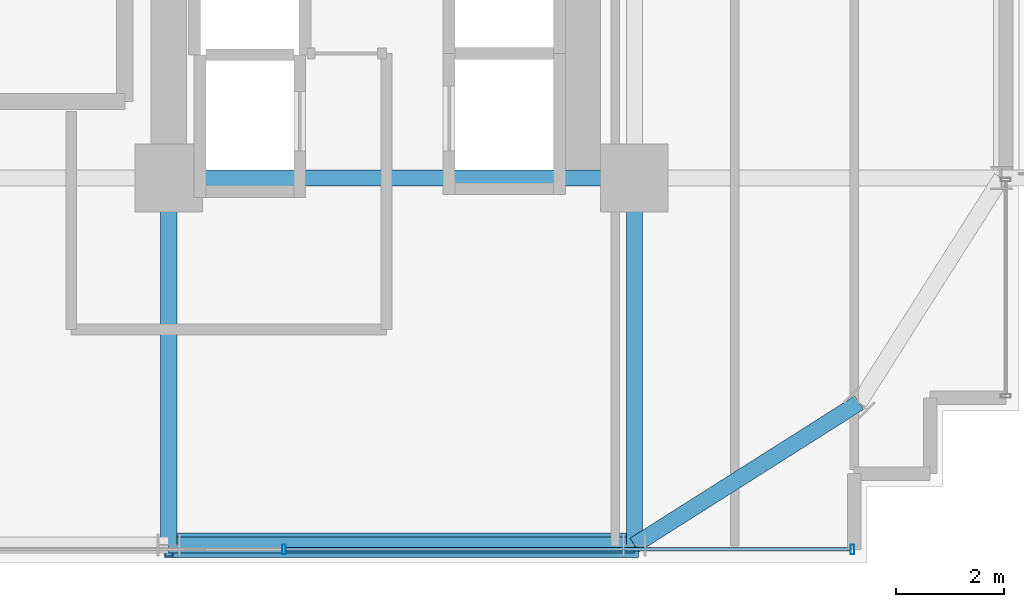
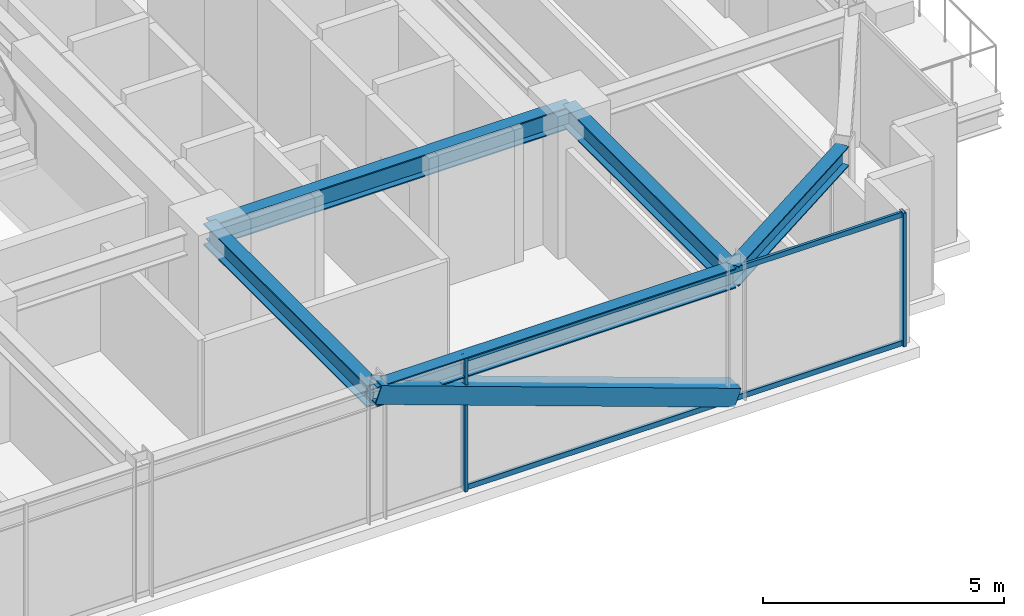
# One storey, part 10 of 34: 5 beams, 5 members, 1 element without a shape of its own.
"""IFC4 building model written with IfcOpenShell, lengths in metres."""

from ifc_helpers import new_model, si_unit, direction, frame, origin, origin_2d, place, context, subcontext, project, spatial, hollow_rectangle, i_section, extrude, source, transform, mapped, material, material_profile, profile_set, type_object, element, aggregate, save


model = new_model("IFC4")

# Units and contexts
model_context = context("Model", 3, precision=1e-05, world=origin(), true_north=direction((0.0, 1.0)))
body_context = subcontext(model_context, "Body", "Model", "MODEL_VIEW")
ifc_project = project(units=[si_unit("LENGTHUNIT", "METRE"), si_unit("AREAUNIT", "SQUARE_METRE"), si_unit("VOLUMEUNIT", "CUBIC_METRE"), si_unit("PLANEANGLEUNIT", "RADIAN"), si_unit("MASSUNIT", "GRAM", prefix="KILO")], contexts=[model_context])

# Site, building, storey
site_placement = place(None, origin())
site = spatial("IfcSite", under=ifc_project, at=site_placement, CompositionType="ELEMENT")
building_placement = place(site_placement, origin())
building = spatial("IfcBuilding", under=site, at=building_placement, Name="Nahalor Promenade Grand Hotel", CompositionType="ELEMENT")
storey_placement = place(building_placement, frame((0.0, 0.0, 128.449951171875)))
storey = spatial("IfcBuildingStorey", under=building, at=storey_placement, Name="L32", CompositionType="ELEMENT", Elevation=128.449951171875)

# Beams
ifc_material_1 = material(Name="Steel S355JR", Category="steel")
ifc_material_profile_1 = material_profile(ifc_material_1, i_section(OverallWidth=0.3, OverallDepth=0.5, WebThickness=0.0145, FlangeThickness=0.028, at=origin_2d()), Name="HEB 500")
ifc_profile_set_1 = profile_set([ifc_material_profile_1], Name="Steel S355JR")
beam_type_1 = type_object("IfcBeamType", Name="Beam-Spandrel-HEB500", PredefinedType="SPANDREL", material=ifc_profile_set_1)
shared_shape_1 = source(origin(), body_context, "Body", "SweptSolid", [
    extrude(i_section(OverallWidth=0.3, OverallDepth=0.5, WebThickness=0.0145, FlangeThickness=0.028, at=origin_2d()), origin(), (0.0, 0.0, 1.0), 8.60009765625),
])
beam_1_placement = place(storey_placement, frame((8.39990234375, -23.780029296875, 3.130126953125), z_axis=(1.0, 0.0, 0.0), x_axis=(0.0, 1.0, 0.0)))
element("IfcBeam", 1, at=beam_1_placement, inside=storey, type_object=beam_type_1, Name="BM-L32-SP-S-4", PredefinedType="SPANDREL", context=body_context, shape_type="MappedRepresentation", body=[
    mapped(shared_shape_1, transform((0.0, 0.0, 0.0), scale=1.0)),
])
shared_shape_2 = source(origin(), body_context, "Body", "SweptSolid", [
    extrude(i_section(OverallWidth=0.3, OverallDepth=0.5, WebThickness=0.0145, FlangeThickness=0.028, at=origin_2d()), origin(), (0.0, 0.0, 1.0), 4.9130859375),
])
beam_2_placement = place(storey_placement, frame((17.0, -23.780029296875, 3.130126953125), z_axis=(0.844648325505, 0.535321591403, 0.0), x_axis=(-0.535321591403, 0.844648325505, 0.0)))
element("IfcBeam", 2, at=beam_2_placement, inside=storey, type_object=beam_type_1, Name="BM-L32-SPC-SE-1", PredefinedType="SPANDREL", context=body_context, shape_type="MappedRepresentation", body=[
    mapped(shared_shape_2, transform((0.0, 0.0, 0.0), scale=1.0)),
])
ifc_material_profile_2 = material_profile(ifc_material_1, i_section(OverallWidth=0.3, OverallDepth=0.55, WebThickness=0.015, FlangeThickness=0.029, at=origin_2d()), Name="HEB 550")
ifc_profile_set_2 = profile_set([ifc_material_profile_2], Name="Steel S355JR")
beam_type_2 = type_object("IfcBeamType", Name="Beam-Girder-HEB550", PredefinedType="BEAM", material=ifc_profile_set_2)
shared_shape_3 = source(origin(), body_context, "Body", "SweptSolid", [
    extrude(i_section(OverallWidth=0.3, OverallDepth=0.55, WebThickness=0.015, FlangeThickness=0.029, at=origin_2d()), origin(), (0.0, 0.0, 1.0), 6.780029296875),
])
for number, where, z_axis, x_axis, name in (
    (3, (8.39990234375, -23.780029296875, 3.10498046875), (0.0, 1.0, 0.0), (-1.0, 0.0, 0.0), "BM-L32-GY-4-0"),
    (4, (17.0, -23.780029296875, 3.10498046875), (0.0, 1.0, 0.0), (-1.0, 0.0, 0.0), "BM-L32-GY-5-0"),
):
    element("IfcBeam", number, at=place(storey_placement, frame(where, z_axis=z_axis, x_axis=x_axis)), inside=storey, type_object=beam_type_2, Name=name, PredefinedType="BEAM", context=body_context, shape_type="MappedRepresentation", body=[
        mapped(shared_shape_3, transform((0.0, 0.0, 0.0), scale=1.0)),
    ])
shared_shape_4 = source(origin(), body_context, "Body", "SweptSolid", [
    extrude(i_section(OverallWidth=0.3, OverallDepth=0.55, WebThickness=0.015, FlangeThickness=0.029, at=origin_2d()), origin(), (0.0, 0.0, 1.0), 8.60009765625),
])
beam_3_placement = place(storey_placement, frame((8.39990234375, -17.0, 3.10498046875), z_axis=(1.0, 0.0, 0.0), x_axis=(0.0, 1.0, 0.0)))
element("IfcBeam", 5, at=beam_3_placement, inside=storey, type_object=beam_type_2, Name="BM-L32-GX-0-5", PredefinedType="BEAM", context=body_context, shape_type="MappedRepresentation", body=[
    mapped(shared_shape_4, transform((0.0, 0.0, 0.0), scale=1.0)),
])

# Member
ifc_material_2 = material(Name="Steel S355J2", Category="steel")
ifc_material_profile_3 = material_profile(ifc_material_2, hollow_rectangle(XDim=0.45, YDim=0.45, WallThickness=0.025, at=origin_2d()), Name="SHS 450x450x25")
ifc_profile_set_3 = profile_set([ifc_material_profile_3], Name="Steel S355J2")
member_type_1 = type_object("IfcMemberType", Name="Mem-ExoBrace-SHS450", PredefinedType="BRACE", material=ifc_profile_set_3)
shared_shape_5 = source(origin(), body_context, "Body", "SweptSolid", [
    extrude(hollow_rectangle(XDim=0.45, YDim=0.45, WallThickness=0.025, at=origin_2d()), origin(), (0.0, 0.0, 1.0), 9.135009765625),
])
member_1_placement = place(storey_placement, frame((17.0, -23.780029296875, 0.150146484375), z_axis=(-0.941451323466, 0.0, 0.337148936738), x_axis=(0.0, -1.0, 0.0)))
element("IfcMember", 6, at=member_1_placement, inside=storey, type_object=member_type_1, Name="EXO-L32-S-1", PredefinedType="BRACE", context=body_context, shape_type="MappedRepresentation", body=[
    mapped(shared_shape_5, transform((0.0, 0.0, 0.0), scale=1.0)),
])

# Curtain wall, members
ifc_material_3 = material(Name="Anodised Bronze Aluminium EN AW-6063 T6", Category="aluminium")
curtain_wall_type = type_object("IfcCurtainWallType", Name="CW2 Typical Hotel Flush Bronze Unitised Curtain Wall", PredefinedType="USERDEFINED", material=ifc_material_3)
curtain_wall_placement = place(storey_placement, origin())
curtain_wall = element("IfcCurtainWall", 7, at=curtain_wall_placement, inside=storey, type_object=curtain_wall_type, Name="L32 Curtain Wall CW-L32-S-1", ObjectType="UNITISED_CURTAIN_WALL", PredefinedType="USERDEFINED")
ifc_material_profile_4 = material_profile(ifc_material_3, hollow_rectangle(XDim=0.065, YDim=0.13, WallThickness=0.004, at=origin_2d()), Name="CWT 65x130x4")
ifc_profile_set_4 = profile_set([ifc_material_profile_4], Name="Anodised Bronze Aluminium EN AW-6063 T6")
member_type_2 = type_object("IfcMemberType", Name="CWT2 Typical Bronze Transom 65x130", PredefinedType="USERDEFINED", material=ifc_profile_set_4)
shared_shape_6 = source(origin(), body_context, "Body", "SweptSolid", [
    extrude(hollow_rectangle(XDim=0.065, YDim=0.13, WallThickness=0.004, at=origin_2d()), origin(), (0.0, 0.0, 1.0), 10.4326171875),
])
member_2_placement = place(storey_placement, frame((10.5625, -23.860107421875, 0.06494140625), z_axis=(1.0, 0.0, 0.0), x_axis=(0.0, 1.0, 0.0)))
member_2 = element("IfcMember", 8, at=member_2_placement, type_object=member_type_2, Name="CW-L32-S-1 Transom 3-0", ObjectType="TRANSOM", PredefinedType="USERDEFINED", context=body_context, shape_type="MappedRepresentation", body=[
    mapped(shared_shape_6, transform((0.0, 0.0, 0.0), scale=1.0)),
])
member_3_placement = place(storey_placement, frame((10.5625, -23.860107421875, 3.31494140625), z_axis=(1.0, 0.0, 0.0), x_axis=(0.0, 1.0, 0.0)))
member_3 = element("IfcMember", 9, at=member_3_placement, type_object=member_type_2, Name="CW-L32-S-1 Transom 3-1", ObjectType="TRANSOM", PredefinedType="USERDEFINED", context=body_context, shape_type="MappedRepresentation", body=[
    mapped(shared_shape_6, transform((0.0, 0.0, 0.0), scale=1.0)),
])
ifc_material_profile_5 = material_profile(ifc_material_3, hollow_rectangle(XDim=0.065, YDim=0.18, WallThickness=0.004, at=origin_2d()), Name="CWM 65x180x4")
ifc_profile_set_5 = profile_set([ifc_material_profile_5], Name="Anodised Bronze Aluminium EN AW-6063 T6")
member_type_3 = type_object("IfcMemberType", Name="CWM2 Typical Bronze Mullion 65x180", PredefinedType="MULLION", material=ifc_profile_set_5)
shared_shape_7 = source(origin(), body_context, "Body", "SweptSolid", [
    extrude(hollow_rectangle(XDim=0.065, YDim=0.18, WallThickness=0.004, at=origin_2d()), origin(), (0.0, 0.0, 1.0), 3.380126953125),
])
member_4_placement = place(storey_placement, frame((10.530029296875, -23.860107421875, 0.0), z_axis=(0.0, 0.0, 1.0), x_axis=(1.0, 0.0, 0.0)))
member_4 = element("IfcMember", 10, at=member_4_placement, type_object=member_type_3, Name="CW-L32-S-1 Mullion 3", PredefinedType="MULLION", context=body_context, shape_type="MappedRepresentation", body=[
    mapped(shared_shape_7, transform((0.0, 0.0, 0.0), scale=1.0)),
])
member_5_placement = place(storey_placement, frame((21.027587890625, -23.860107421875, 0.0), z_axis=(0.0, 0.0, 1.0), x_axis=(1.0, 0.0, 0.0)))
member_5 = element("IfcMember", 11, at=member_5_placement, type_object=member_type_3, Name="CW-L32-S-1 Mullion 4", PredefinedType="MULLION", context=body_context, shape_type="MappedRepresentation", body=[
    mapped(shared_shape_7, transform((0.0, 0.0, 0.0), scale=1.0)),
])
aggregate(curtain_wall, [member_4, member_5, member_2, member_3])

save(model, "model.ifc")
